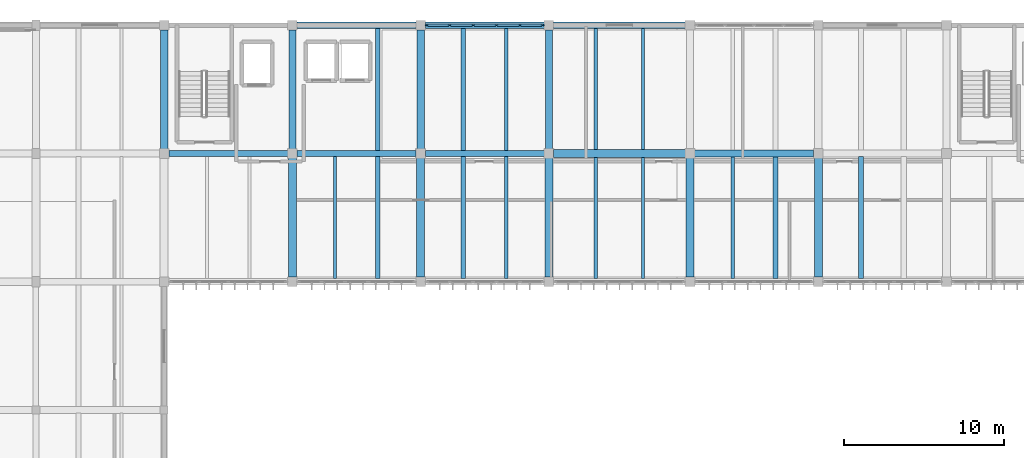
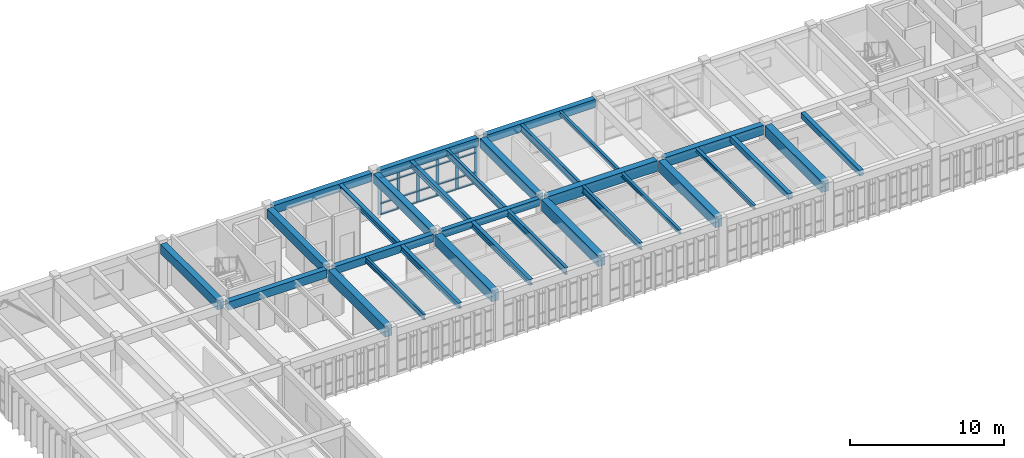
# One storey, part 8 of 22: 31 beams, 26 members, 1 element without a shape of its own.
"""IFC4 building model written with IfcOpenShell, lengths in metres."""

from ifc_helpers import new_model, si_unit, direction, frame, origin, origin_2d, place, context, subcontext, project, spatial, rectangle, i_section, extrude, material, material_profile, profile_set, type_object, element, aggregate, save


model = new_model("IFC4")

# Units and contexts
model_context = context("Model", 3, precision=1e-05, world=origin(), true_north=direction((0.0, 1.0)))
body_context = subcontext(model_context, "Body", "Model", "MODEL_VIEW")
ifc_project = project(units=[si_unit("LENGTHUNIT", "METRE"), si_unit("AREAUNIT", "SQUARE_METRE"), si_unit("VOLUMEUNIT", "CUBIC_METRE"), si_unit("PLANEANGLEUNIT", "RADIAN"), si_unit("MASSUNIT", "GRAM", prefix="KILO")], contexts=[model_context])

# Site, building, storey
site_placement = place(None, origin())
site = spatial("IfcSite", under=ifc_project, at=site_placement, CompositionType="ELEMENT")
building_placement = place(site_placement, origin())
building = spatial("IfcBuilding", under=site, at=building_placement, Name="Tlaxcora Railside Police Headquarters", CompositionType="ELEMENT")
storey_placement = place(building_placement, frame((0.0, 0.0, 21.89990234375)))
storey = spatial("IfcBuildingStorey", under=building, at=storey_placement, Name="L05", CompositionType="ELEMENT", Elevation=21.89990234375)

# Curtain wall, members
ifc_material_1 = material(Name="Thermally broken low-E insulated glazing", Category="glass")
curtain_wall_type = type_object("IfcCurtainWallType", Name="Unitised Curtain Wall Assembly CW-23", PredefinedType="NOTDEFINED", material=ifc_material_1)
curtain_wall_placement = place(storey_placement, origin())
curtain_wall = element("IfcCurtainWall", 1, at=curtain_wall_placement, inside=storey, type_object=curtain_wall_type, Name="V5 L05 curtain wall 116", PredefinedType="NOTDEFINED")
ifc_material_2 = material(Name="Anodised aluminium framing", Category="aluminium")
ifc_material_profile_1 = material_profile(ifc_material_2, rectangle(XDim=0.080078125, YDim=0.219970703125, at=origin_2d()), Name="AL80X220")
ifc_profile_set_1 = profile_set([ifc_material_profile_1], Name="Anodised aluminium framing")
member_type_1 = type_object("IfcMemberType", Name="Curtain Wall Mullion CW-31", PredefinedType="MULLION", material=ifc_profile_set_1)
member_1_placement = place(storey_placement, frame((44.81005859375, 92.800048828125, 0.0), z_axis=(0.0, 0.0, 1.0), x_axis=(0.0, -1.0, 0.0)))
member_1 = element("IfcMember", 2, at=member_1_placement, type_object=member_type_1, Name="CW mullion 1", PredefinedType="MULLION", context=body_context, shape_type="SweptSolid", body=[
    extrude(rectangle(XDim=0.080078125, YDim=0.219970703125, at=origin_2d()), origin(), (0.0, 0.0, 1.0), 2.97998046875),
])
member_2_placement = place(storey_placement, frame((43.389892578125, 92.800048828125, 0.0), z_axis=(0.0, 0.0, 1.0), x_axis=(0.0, -1.0, 0.0)))
member_2 = element("IfcMember", 3, at=member_2_placement, type_object=member_type_1, Name="CW mullion 2", PredefinedType="MULLION", context=body_context, shape_type="SweptSolid", body=[
    extrude(rectangle(XDim=0.080078125, YDim=0.219970703125, at=origin_2d()), origin(), (0.0, 0.0, 1.0), 2.97998046875),
])
member_3_placement = place(storey_placement, frame((41.929931640625, 92.800048828125, 0.0), z_axis=(0.0, 0.0, 1.0), x_axis=(0.0, -1.0, 0.0)))
member_3 = element("IfcMember", 4, at=member_3_placement, type_object=member_type_1, Name="CW mullion 3", PredefinedType="MULLION", context=body_context, shape_type="SweptSolid", body=[
    extrude(rectangle(XDim=0.080078125, YDim=0.219970703125, at=origin_2d()), origin(), (0.0, 0.0, 1.0), 2.97998046875),
])
member_4_placement = place(storey_placement, frame((40.469970703125, 92.800048828125, 0.0), z_axis=(0.0, 0.0, 1.0), x_axis=(0.0, -1.0, 0.0)))
member_4 = element("IfcMember", 5, at=member_4_placement, type_object=member_type_1, Name="CW mullion 4", PredefinedType="MULLION", context=body_context, shape_type="SweptSolid", body=[
    extrude(rectangle(XDim=0.080078125, YDim=0.219970703125, at=origin_2d()), origin(), (0.0, 0.0, 1.0), 2.97998046875),
])
member_5_placement = place(storey_placement, frame((39.010009765625, 92.800048828125, 0.0), z_axis=(0.0, 0.0, 1.0), x_axis=(0.0, -1.0, 0.0)))
member_5 = element("IfcMember", 6, at=member_5_placement, type_object=member_type_1, Name="CW mullion 5", PredefinedType="MULLION", context=body_context, shape_type="SweptSolid", body=[
    extrude(rectangle(XDim=0.080078125, YDim=0.219970703125, at=origin_2d()), origin(), (0.0, 0.0, 1.0), 2.97998046875),
])
member_6_placement = place(storey_placement, frame((37.590087890625, 92.800048828125, 0.0), z_axis=(0.0, 0.0, 1.0), x_axis=(0.0, -1.0, 0.0)))
member_6 = element("IfcMember", 7, at=member_6_placement, type_object=member_type_1, Name="CW mullion 6", PredefinedType="MULLION", context=body_context, shape_type="SweptSolid", body=[
    extrude(rectangle(XDim=0.080078125, YDim=0.219970703125, at=origin_2d()), origin(), (0.0, 0.0, 1.0), 2.97998046875),
])
ifc_material_profile_2 = material_profile(ifc_material_2, rectangle(XDim=0.1650390625, YDim=0.080078125, at=origin_2d()), Name="AL80X165")
ifc_profile_set_2 = profile_set([ifc_material_profile_2], Name="Anodised aluminium framing")
member_type_2 = type_object("IfcMemberType", Name="Curtain Wall Transom CW-62", PredefinedType="USERDEFINED", material=ifc_profile_set_2)
member_7_placement = place(storey_placement, frame((44.77001953125, 92.800048828125, 0.0400390625), z_axis=(-1.0, 0.0, 0.0), x_axis=(0.0, -1.0, 0.0)))
member_7 = element("IfcMember", 8, at=member_7_placement, type_object=member_type_2, Name="CW transom 1.1", ObjectType="TRANSOM", PredefinedType="USERDEFINED", context=body_context, shape_type="SweptSolid", body=[
    extrude(rectangle(XDim=0.1650390625, YDim=0.080078125, at=origin_2d()), origin(), (0.0, 0.0, 1.0), 1.340087890625),
])
member_8_placement = place(storey_placement, frame((44.77001953125, 92.800048828125, 0.900146484375), z_axis=(-1.0, 0.0, 0.0), x_axis=(0.0, -1.0, 0.0)))
member_8 = element("IfcMember", 9, at=member_8_placement, type_object=member_type_2, Name="CW transom 1.2", ObjectType="TRANSOM", PredefinedType="USERDEFINED", context=body_context, shape_type="SweptSolid", body=[
    extrude(rectangle(XDim=0.1650390625, YDim=0.080078125, at=origin_2d()), origin(), (0.0, 0.0, 1.0), 1.340087890625),
])
member_9_placement = place(storey_placement, frame((44.77001953125, 92.800048828125, 2.4501953125), z_axis=(-1.0, 0.0, 0.0), x_axis=(0.0, -1.0, 0.0)))
member_9 = element("IfcMember", 10, at=member_9_placement, type_object=member_type_2, Name="CW transom 1.3", ObjectType="TRANSOM", PredefinedType="USERDEFINED", context=body_context, shape_type="SweptSolid", body=[
    extrude(rectangle(XDim=0.1650390625, YDim=0.080078125, at=origin_2d()), origin(), (0.0, 0.0, 1.0), 1.340087890625),
])
member_10_placement = place(storey_placement, frame((44.77001953125, 92.800048828125, 2.940185546875), z_axis=(-1.0, 0.0, 0.0), x_axis=(0.0, -1.0, 0.0)))
member_10 = element("IfcMember", 11, at=member_10_placement, type_object=member_type_2, Name="CW transom 1.4", ObjectType="TRANSOM", PredefinedType="USERDEFINED", context=body_context, shape_type="SweptSolid", body=[
    extrude(rectangle(XDim=0.1650390625, YDim=0.080078125, at=origin_2d()), origin(), (0.0, 0.0, 1.0), 1.340087890625),
])
member_11_placement = place(storey_placement, frame((43.35009765625, 92.800048828125, 0.0400390625), z_axis=(-1.0, 0.0, 0.0), x_axis=(0.0, -1.0, 0.0)))
member_11 = element("IfcMember", 12, at=member_11_placement, type_object=member_type_2, Name="CW transom 2.1", ObjectType="TRANSOM", PredefinedType="USERDEFINED", context=body_context, shape_type="SweptSolid", body=[
    extrude(rectangle(XDim=0.1650390625, YDim=0.080078125, at=origin_2d()), origin(), (0.0, 0.0, 1.0), 1.380126953125),
])
member_12_placement = place(storey_placement, frame((43.35009765625, 92.800048828125, 0.900146484375), z_axis=(-1.0, 0.0, 0.0), x_axis=(0.0, -1.0, 0.0)))
member_12 = element("IfcMember", 13, at=member_12_placement, type_object=member_type_2, Name="CW transom 2.2", ObjectType="TRANSOM", PredefinedType="USERDEFINED", context=body_context, shape_type="SweptSolid", body=[
    extrude(rectangle(XDim=0.1650390625, YDim=0.080078125, at=origin_2d()), origin(), (0.0, 0.0, 1.0), 1.380126953125),
])
member_13_placement = place(storey_placement, frame((43.35009765625, 92.800048828125, 2.4501953125), z_axis=(-1.0, 0.0, 0.0), x_axis=(0.0, -1.0, 0.0)))
member_13 = element("IfcMember", 14, at=member_13_placement, type_object=member_type_2, Name="CW transom 2.3", ObjectType="TRANSOM", PredefinedType="USERDEFINED", context=body_context, shape_type="SweptSolid", body=[
    extrude(rectangle(XDim=0.1650390625, YDim=0.080078125, at=origin_2d()), origin(), (0.0, 0.0, 1.0), 1.380126953125),
])
member_14_placement = place(storey_placement, frame((43.35009765625, 92.800048828125, 2.940185546875), z_axis=(-1.0, 0.0, 0.0), x_axis=(0.0, -1.0, 0.0)))
member_14 = element("IfcMember", 15, at=member_14_placement, type_object=member_type_2, Name="CW transom 2.4", ObjectType="TRANSOM", PredefinedType="USERDEFINED", context=body_context, shape_type="SweptSolid", body=[
    extrude(rectangle(XDim=0.1650390625, YDim=0.080078125, at=origin_2d()), origin(), (0.0, 0.0, 1.0), 1.380126953125),
])
member_15_placement = place(storey_placement, frame((41.889892578125, 92.800048828125, 0.0400390625), z_axis=(-1.0, 0.0, 0.0), x_axis=(0.0, -1.0, 0.0)))
member_15 = element("IfcMember", 16, at=member_15_placement, type_object=member_type_2, Name="CW transom 3.1", ObjectType="TRANSOM", PredefinedType="USERDEFINED", context=body_context, shape_type="SweptSolid", body=[
    extrude(rectangle(XDim=0.1650390625, YDim=0.080078125, at=origin_2d()), origin(), (0.0, 0.0, 1.0), 1.3798828125),
])
member_16_placement = place(storey_placement, frame((41.889892578125, 92.800048828125, 0.900146484375), z_axis=(-1.0, 0.0, 0.0), x_axis=(0.0, -1.0, 0.0)))
member_16 = element("IfcMember", 17, at=member_16_placement, type_object=member_type_2, Name="CW transom 3.2", ObjectType="TRANSOM", PredefinedType="USERDEFINED", context=body_context, shape_type="SweptSolid", body=[
    extrude(rectangle(XDim=0.1650390625, YDim=0.080078125, at=origin_2d()), origin(), (0.0, 0.0, 1.0), 1.3798828125),
])
member_17_placement = place(storey_placement, frame((41.889892578125, 92.800048828125, 2.4501953125), z_axis=(-1.0, 0.0, 0.0), x_axis=(0.0, -1.0, 0.0)))
member_17 = element("IfcMember", 18, at=member_17_placement, type_object=member_type_2, Name="CW transom 3.3", ObjectType="TRANSOM", PredefinedType="USERDEFINED", context=body_context, shape_type="SweptSolid", body=[
    extrude(rectangle(XDim=0.1650390625, YDim=0.080078125, at=origin_2d()), origin(), (0.0, 0.0, 1.0), 1.3798828125),
])
member_18_placement = place(storey_placement, frame((41.889892578125, 92.800048828125, 2.940185546875), z_axis=(-1.0, 0.0, 0.0), x_axis=(0.0, -1.0, 0.0)))
member_18 = element("IfcMember", 19, at=member_18_placement, type_object=member_type_2, Name="CW transom 3.4", ObjectType="TRANSOM", PredefinedType="USERDEFINED", context=body_context, shape_type="SweptSolid", body=[
    extrude(rectangle(XDim=0.1650390625, YDim=0.080078125, at=origin_2d()), origin(), (0.0, 0.0, 1.0), 1.3798828125),
])
member_19_placement = place(storey_placement, frame((40.429931640625, 92.800048828125, 0.0400390625), z_axis=(-1.0, 0.0, 0.0), x_axis=(0.0, -1.0, 0.0)))
member_19 = element("IfcMember", 20, at=member_19_placement, type_object=member_type_2, Name="CW transom 4.1", ObjectType="TRANSOM", PredefinedType="USERDEFINED", context=body_context, shape_type="SweptSolid", body=[
    extrude(rectangle(XDim=0.1650390625, YDim=0.080078125, at=origin_2d()), origin(), (0.0, 0.0, 1.0), 1.3798828125),
])
member_20_placement = place(storey_placement, frame((40.429931640625, 92.800048828125, 0.900146484375), z_axis=(-1.0, 0.0, 0.0), x_axis=(0.0, -1.0, 0.0)))
member_20 = element("IfcMember", 21, at=member_20_placement, type_object=member_type_2, Name="CW transom 4.2", ObjectType="TRANSOM", PredefinedType="USERDEFINED", context=body_context, shape_type="SweptSolid", body=[
    extrude(rectangle(XDim=0.1650390625, YDim=0.080078125, at=origin_2d()), origin(), (0.0, 0.0, 1.0), 1.3798828125),
])
member_21_placement = place(storey_placement, frame((40.429931640625, 92.800048828125, 2.4501953125), z_axis=(-1.0, 0.0, 0.0), x_axis=(0.0, -1.0, 0.0)))
member_21 = element("IfcMember", 22, at=member_21_placement, type_object=member_type_2, Name="CW transom 4.3", ObjectType="TRANSOM", PredefinedType="USERDEFINED", context=body_context, shape_type="SweptSolid", body=[
    extrude(rectangle(XDim=0.1650390625, YDim=0.080078125, at=origin_2d()), origin(), (0.0, 0.0, 1.0), 1.3798828125),
])
member_22_placement = place(storey_placement, frame((40.429931640625, 92.800048828125, 2.940185546875), z_axis=(-1.0, 0.0, 0.0), x_axis=(0.0, -1.0, 0.0)))
member_22 = element("IfcMember", 23, at=member_22_placement, type_object=member_type_2, Name="CW transom 4.4", ObjectType="TRANSOM", PredefinedType="USERDEFINED", context=body_context, shape_type="SweptSolid", body=[
    extrude(rectangle(XDim=0.1650390625, YDim=0.080078125, at=origin_2d()), origin(), (0.0, 0.0, 1.0), 1.3798828125),
])
member_23_placement = place(storey_placement, frame((38.969970703125, 92.800048828125, 0.0400390625), z_axis=(-1.0, 0.0, 0.0), x_axis=(0.0, -1.0, 0.0)))
member_23 = element("IfcMember", 24, at=member_23_placement, type_object=member_type_2, Name="CW transom 5.1", ObjectType="TRANSOM", PredefinedType="USERDEFINED", context=body_context, shape_type="SweptSolid", body=[
    extrude(rectangle(XDim=0.1650390625, YDim=0.080078125, at=origin_2d()), origin(), (0.0, 0.0, 1.0), 1.340087890625),
])
member_24_placement = place(storey_placement, frame((38.969970703125, 92.800048828125, 0.900146484375), z_axis=(-1.0, 0.0, 0.0), x_axis=(0.0, -1.0, 0.0)))
member_24 = element("IfcMember", 25, at=member_24_placement, type_object=member_type_2, Name="CW transom 5.2", ObjectType="TRANSOM", PredefinedType="USERDEFINED", context=body_context, shape_type="SweptSolid", body=[
    extrude(rectangle(XDim=0.1650390625, YDim=0.080078125, at=origin_2d()), origin(), (0.0, 0.0, 1.0), 1.340087890625),
])
member_25_placement = place(storey_placement, frame((38.969970703125, 92.800048828125, 2.4501953125), z_axis=(-1.0, 0.0, 0.0), x_axis=(0.0, -1.0, 0.0)))
member_25 = element("IfcMember", 26, at=member_25_placement, type_object=member_type_2, Name="CW transom 5.3", ObjectType="TRANSOM", PredefinedType="USERDEFINED", context=body_context, shape_type="SweptSolid", body=[
    extrude(rectangle(XDim=0.1650390625, YDim=0.080078125, at=origin_2d()), origin(), (0.0, 0.0, 1.0), 1.340087890625),
])
member_26_placement = place(storey_placement, frame((38.969970703125, 92.800048828125, 2.940185546875), z_axis=(-1.0, 0.0, 0.0), x_axis=(0.0, -1.0, 0.0)))
member_26 = element("IfcMember", 27, at=member_26_placement, type_object=member_type_2, Name="CW transom 5.4", ObjectType="TRANSOM", PredefinedType="USERDEFINED", context=body_context, shape_type="SweptSolid", body=[
    extrude(rectangle(XDim=0.1650390625, YDim=0.080078125, at=origin_2d()), origin(), (0.0, 0.0, 1.0), 1.340087890625),
])
aggregate(curtain_wall, [member_1, member_2, member_3, member_4, member_5, member_6, member_7, member_8, member_9, member_10, member_11, member_12, member_13, member_14, member_15, member_16, member_17, member_18, member_19, member_20, member_21, member_22, member_23, member_24, member_25, member_26])

# Beams
ifc_material_3 = material(Name="Concrete C40/50", Category="concrete")
ifc_material_profile_3 = material_profile(ifc_material_3, rectangle(XDim=0.39990234375, YDim=0.64990234375, at=origin_2d()), Name="RC400X650")
ifc_profile_set_3 = profile_set([ifc_material_profile_3], Name="Concrete C40/50")
beam_type_1 = type_object("IfcBeamType", Name="Perimeter Spandrel Beam BM-46", PredefinedType="SPANDREL", material=ifc_profile_set_3)
for number, where, z_axis, x_axis, name in (
    (28, (29.489990234375, 92.800048828125, 3.3251953125), (1.0, 0.0, 0.0), (0.0, 1.0, 0.0), "V5 L05 X-girder Y=92.8"),
    (29, (37.489990234375, 92.800048828125, 3.3251953125), (1.0, 0.0, 0.0), (0.0, 1.0, 0.0), "V5 L05 X-girder Y=92.8"),
):
    element("IfcBeam", number, at=place(storey_placement, frame(where, z_axis=z_axis, x_axis=x_axis)), inside=storey, type_object=beam_type_1, Name=name, PredefinedType="SPANDREL", context=body_context, shape_type="SweptSolid", body=[
        extrude(rectangle(XDim=0.39990234375, YDim=0.64990234375, at=origin_2d()), origin(), (0.0, 0.0, 1.0), 7.419921875),
    ])
beam_1_placement = place(storey_placement, frame((45.489990234375, 92.800048828125, 3.3251953125), z_axis=(1.0, 0.0, 0.0), x_axis=(0.0, 1.0, 0.0)))
element("IfcBeam", 30, at=beam_1_placement, inside=storey, type_object=beam_type_1, Name="V5 L05 X-girder Y=92.8", PredefinedType="SPANDREL", context=body_context, shape_type="SweptSolid", body=[
    extrude(rectangle(XDim=0.39990234375, YDim=0.64990234375, at=origin_2d()), origin(), (0.0, 0.0, 1.0), 8.219970703125),
])
ifc_material_profile_4 = material_profile(ifc_material_3, rectangle(XDim=0.3798828125, YDim=0.60009765625, at=origin_2d()), Name="RC380X600")
ifc_profile_set_4 = profile_set([ifc_material_profile_4], Name="Concrete C40/50")
beam_type_2 = type_object("IfcBeamType", Name="Primary Frame Girder BM-22", PredefinedType="BEAM", material=ifc_profile_set_4)
beam_2_placement = place(storey_placement, frame((29.489990234375, 84.800048828125, 3.35009765625), z_axis=(1.0, 0.0, 0.0), x_axis=(0.0, 1.0, 0.0)))
element("IfcBeam", 31, at=beam_2_placement, inside=storey, type_object=beam_type_2, Name="V5 L05 X-girder Y=84.8", PredefinedType="BEAM", context=body_context, shape_type="SweptSolid", body=[
    extrude(rectangle(XDim=0.3798828125, YDim=0.60009765625, at=origin_2d()), origin(), (0.0, 0.0, 1.0), 7.419921875),
])
ifc_material_profile_5 = material_profile(ifc_material_3, rectangle(XDim=0.35009765625, YDim=0.550048828125, at=origin_2d()), Name="RC350X550")
ifc_profile_set_5 = profile_set([ifc_material_profile_5], Name="Concrete C40/50")
beam_type_3 = type_object("IfcBeamType", Name="Primary Frame Girder BM-39", PredefinedType="BEAM", material=ifc_profile_set_5)
beam_3_placement = place(storey_placement, frame((37.489990234375, 84.800048828125, 3.375), z_axis=(1.0, 0.0, 0.0), x_axis=(0.0, 1.0, 0.0)))
element("IfcBeam", 32, at=beam_3_placement, inside=storey, type_object=beam_type_3, Name="V5 L05 X-girder Y=84.8", PredefinedType="BEAM", context=body_context, shape_type="SweptSolid", body=[
    extrude(rectangle(XDim=0.35009765625, YDim=0.550048828125, at=origin_2d()), origin(), (0.0, 0.0, 1.0), 7.419921875),
])
ifc_material_profile_6 = material_profile(ifc_material_3, rectangle(XDim=0.39990234375, YDim=0.64990234375, at=origin_2d()), Name="RC400X650")
ifc_profile_set_6 = profile_set([ifc_material_profile_6], Name="Concrete C40/50")
beam_type_4 = type_object("IfcBeamType", Name="Primary Frame Girder BM-41", PredefinedType="BEAM", material=ifc_profile_set_6)
beam_4_placement = place(storey_placement, frame((21.489990234375, 84.800048828125, 3.3251953125), z_axis=(1.0, 0.0, 0.0), x_axis=(0.0, 1.0, 0.0)))
element("IfcBeam", 33, at=beam_4_placement, inside=storey, type_object=beam_type_4, Name="V5 L05 X-girder Y=84.8", PredefinedType="BEAM", context=body_context, shape_type="SweptSolid", body=[
    extrude(rectangle(XDim=0.39990234375, YDim=0.64990234375, at=origin_2d()), origin(), (0.0, 0.0, 1.0), 7.419921875),
])
ifc_material_profile_7 = material_profile(ifc_material_3, rectangle(XDim=0.5, YDim=0.85009765625, at=origin_2d()), Name="RC500X850")
ifc_profile_set_7 = profile_set([ifc_material_profile_7], Name="Concrete C40/50")
beam_type_5 = type_object("IfcBeamType", Name="Primary Frame Girder BM-64", PredefinedType="BEAM", material=ifc_profile_set_7)
beam_5_placement = place(storey_placement, frame((45.489990234375, 84.800048828125, 3.22509765625), z_axis=(1.0, 0.0, 0.0), x_axis=(0.0, 1.0, 0.0)))
element("IfcBeam", 34, at=beam_5_placement, inside=storey, type_object=beam_type_5, Name="V5 L05 X-girder Y=84.8", PredefinedType="BEAM", context=body_context, shape_type="SweptSolid", body=[
    extrude(rectangle(XDim=0.5, YDim=0.85009765625, at=origin_2d()), origin(), (0.0, 0.0, 1.0), 8.219970703125),
])
for number, where, z_axis, x_axis, name in (
    (35, (29.199951171875, 77.090087890625, 3.22509765625), (0.0, 1.0, 0.0), (-1.0, 0.0, 0.0), "V5 L05 Y-girder X=29.2"),
    (36, (37.199951171875, 77.090087890625, 3.22509765625), (0.0, 1.0, 0.0), (-1.0, 0.0, 0.0), "V5 L05 Y-girder X=37.2"),
    (37, (45.199951171875, 77.090087890625, 3.22509765625), (0.0, 1.0, 0.0), (-1.0, 0.0, 0.0), "V5 L05 Y-girder X=45.2"),
    (38, (54.0, 77.090087890625, 3.22509765625), (0.0, 1.0, 0.0), (-1.0, 0.0, 0.0), "V5 L05 Y-girder X=54.0"),
    (39, (62.0, 77.090087890625, 3.22509765625), (0.0, 1.0, 0.0), (-1.0, 0.0, 0.0), "V5 L05 Y-girder X=62.0"),
):
    element("IfcBeam", number, at=place(storey_placement, frame(where, z_axis=z_axis, x_axis=x_axis)), inside=storey, type_object=beam_type_5, Name=name, PredefinedType="BEAM", context=body_context, shape_type="SweptSolid", body=[
        extrude(rectangle(XDim=0.5, YDim=0.85009765625, at=origin_2d()), origin(), (0.0, 0.0, 1.0), 7.419921875),
    ])
ifc_material_profile_8 = material_profile(ifc_material_3, rectangle(XDim=0.449951171875, YDim=0.75, at=origin_2d()), Name="RC450X750")
ifc_profile_set_8 = profile_set([ifc_material_profile_8], Name="Concrete C40/50")
beam_type_6 = type_object("IfcBeamType", Name="Primary Frame Girder BM-73", PredefinedType="BEAM", material=ifc_profile_set_8)
for number, where, z_axis, x_axis, name in (
    (40, (54.2900390625, 84.800048828125, 3.275146484375), (1.0, 0.0, 0.0), (0.0, 1.0, 0.0), "V5 L05 X-girder Y=84.8"),
    (41, (21.199951171875, 85.090087890625, 3.275146484375), (0.0, 1.0, 0.0), (-1.0, 0.0, 0.0), "V5 L05 Y-girder X=21.2"),
    (42, (29.199951171875, 85.090087890625, 3.275146484375), (0.0, 1.0, 0.0), (-1.0, 0.0, 0.0), "V5 L05 Y-girder X=29.2"),
    (43, (37.199951171875, 85.090087890625, 3.275146484375), (0.0, 1.0, 0.0), (-1.0, 0.0, 0.0), "V5 L05 Y-girder X=37.2"),
    (44, (45.199951171875, 85.090087890625, 3.275146484375), (0.0, 1.0, 0.0), (-1.0, 0.0, 0.0), "V5 L05 Y-girder X=45.2"),
):
    element("IfcBeam", number, at=place(storey_placement, frame(where, z_axis=z_axis, x_axis=x_axis)), inside=storey, type_object=beam_type_6, Name=name, PredefinedType="BEAM", context=body_context, shape_type="SweptSolid", body=[
        extrude(rectangle(XDim=0.449951171875, YDim=0.75, at=origin_2d()), origin(), (0.0, 0.0, 1.0), 7.419921875),
    ])
ifc_material_4 = material(Name="Concrete C35/45", Category="concrete")
ifc_material_profile_9 = material_profile(ifc_material_4, rectangle(XDim=0.300048828125, YDim=0.449951171875, at=origin_2d()), Name="RC300X450")
ifc_profile_set_9 = profile_set([ifc_material_profile_9], Name="Concrete C35/45")
beam_type_7 = type_object("IfcBeamType", Name="Secondary Floor Joist BM-27", PredefinedType="JOIST", material=ifc_profile_set_9)
beam_6_placement = place(storey_placement, frame((59.333251953125, 76.991943359375, 3.425048828125), z_axis=(0.0, 1.0, 0.0), x_axis=(-1.0, 0.0, 0.0)))
element("IfcBeam", 45, at=beam_6_placement, inside=storey, type_object=beam_type_7, Name="V5 L05 floor joist X=59.33", PredefinedType="JOIST", context=body_context, shape_type="SweptSolid", body=[
    extrude(rectangle(XDim=0.300048828125, YDim=0.449951171875, at=origin_2d()), origin(), (0.0, 0.0, 1.0), 7.591064453125),
])
beam_7_placement = place(storey_placement, frame((64.666748046875, 76.991943359375, 3.425048828125), z_axis=(0.0, 1.0, 0.0), x_axis=(-1.0, 0.0, 0.0)))
element("IfcBeam", 46, at=beam_7_placement, inside=storey, type_object=beam_type_7, Name="V5 L05 floor joist X=64.67", PredefinedType="JOIST", context=body_context, shape_type="SweptSolid", body=[
    extrude(rectangle(XDim=0.300048828125, YDim=0.449951171875, at=origin_2d()), origin(), (0.0, 0.0, 1.0), 7.60595703125),
])
ifc_material_5 = material(Name="Steel ASTM A992 Grade 50", Category="steel")
ifc_material_profile_10 = material_profile(ifc_material_5, i_section(OverallWidth=0.280029296875, OverallDepth=0.4619140625, WebThickness=0.0107421875, FlangeThickness=0.017333984375, at=origin_2d()), Name="W18X76")
ifc_profile_set_10 = profile_set([ifc_material_profile_10], Name="Steel ASTM A992 Grade 50")
beam_type_8 = type_object("IfcBeamType", Name="Secondary Floor Joist BM-44", PredefinedType="JOIST", material=ifc_profile_set_10)
beam_8_placement = place(storey_placement, frame((34.533203125, 76.991943359375, 3.419189453125), z_axis=(0.0, 1.0, 0.0), x_axis=(-1.0, 0.0, 0.0)))
element("IfcBeam", 47, at=beam_8_placement, inside=storey, type_object=beam_type_8, Name="V5 L05 floor joist X=34.53", PredefinedType="JOIST", context=body_context, shape_type="SweptSolid", body=[
    extrude(i_section(OverallWidth=0.280029296875, OverallDepth=0.4619140625, WebThickness=0.0107421875, FlangeThickness=0.017333984375, at=origin_2d()), origin(), (0.0, 0.0, 1.0), 7.6259765625),
])
beam_9_placement = place(storey_placement, frame((39.86669921875, 76.991943359375, 3.419189453125), z_axis=(0.0, 1.0, 0.0), x_axis=(-1.0, 0.0, 0.0)))
element("IfcBeam", 48, at=beam_9_placement, inside=storey, type_object=beam_type_8, Name="V5 L05 floor joist X=39.87", PredefinedType="JOIST", context=body_context, shape_type="SweptSolid", body=[
    extrude(i_section(OverallWidth=0.280029296875, OverallDepth=0.4619140625, WebThickness=0.0107421875, FlangeThickness=0.017333984375, at=origin_2d()), origin(), (0.0, 0.0, 1.0), 7.64111328125),
])
beam_10_placement = place(storey_placement, frame((34.533203125, 84.98193359375, 3.419189453125), z_axis=(0.0, 1.0, 0.0), x_axis=(-1.0, 0.0, 0.0)))
element("IfcBeam", 49, at=beam_10_placement, inside=storey, type_object=beam_type_8, Name="V5 L05 floor joist X=34.53", PredefinedType="JOIST", context=body_context, shape_type="SweptSolid", body=[
    extrude(i_section(OverallWidth=0.280029296875, OverallDepth=0.4619140625, WebThickness=0.0107421875, FlangeThickness=0.017333984375, at=origin_2d()), origin(), (0.0, 0.0, 1.0), 7.6259765625),
])
beam_11_placement = place(storey_placement, frame((39.86669921875, 84.967041015625, 3.419189453125), z_axis=(0.0, 1.0, 0.0), x_axis=(-1.0, 0.0, 0.0)))
element("IfcBeam", 50, at=beam_11_placement, inside=storey, type_object=beam_type_8, Name="V5 L05 floor joist X=39.87", PredefinedType="JOIST", context=body_context, shape_type="SweptSolid", body=[
    extrude(i_section(OverallWidth=0.280029296875, OverallDepth=0.4619140625, WebThickness=0.0107421875, FlangeThickness=0.017333984375, at=origin_2d()), origin(), (0.0, 0.0, 1.0), 7.640869140625),
])
ifc_material_profile_11 = material_profile(ifc_material_5, i_section(OverallWidth=0.180908203125, OverallDepth=0.4169921875, WebThickness=0.010009765625, FlangeThickness=0.018310546875, at=origin_2d()), Name="W16X57")
ifc_profile_set_11 = profile_set([ifc_material_profile_11], Name="Steel ASTM A992 Grade 50")
beam_type_9 = type_object("IfcBeamType", Name="Secondary Floor Joist BM-84", PredefinedType="JOIST", material=ifc_profile_set_11)
beam_12_placement = place(storey_placement, frame((31.86669921875, 76.991943359375, 3.441650390625), z_axis=(0.0, 1.0, 0.0), x_axis=(-1.0, 0.0, 0.0)))
element("IfcBeam", 51, at=beam_12_placement, inside=storey, type_object=beam_type_9, Name="V5 L05 floor joist X=31.87", PredefinedType="JOIST", context=body_context, shape_type="SweptSolid", body=[
    extrude(i_section(OverallWidth=0.180908203125, OverallDepth=0.4169921875, WebThickness=0.010009765625, FlangeThickness=0.018310546875, at=origin_2d()), origin(), (0.0, 0.0, 1.0), 7.6259765625),
])
ifc_material_profile_12 = material_profile(ifc_material_5, i_section(OverallWidth=0.202880859375, OverallDepth=0.302978515625, WebThickness=0.007568359375, FlangeThickness=0.01318359375, at=origin_2d()), Name="W12X40")
ifc_profile_set_12 = profile_set([ifc_material_profile_12], Name="Steel ASTM A992 Grade 50")
beam_type_10 = type_object("IfcBeamType", Name="Secondary Floor Joist BM-96", PredefinedType="JOIST", material=ifc_profile_set_12)
beam_13_placement = place(storey_placement, frame((51.066650390625, 76.991943359375, 3.49853515625), z_axis=(0.0, 1.0, 0.0), x_axis=(-1.0, 0.0, 0.0)))
element("IfcBeam", 52, at=beam_13_placement, inside=storey, type_object=beam_type_10, Name="V5 L05 floor joist X=51.07", PredefinedType="JOIST", context=body_context, shape_type="SweptSolid", body=[
    extrude(i_section(OverallWidth=0.202880859375, OverallDepth=0.302978515625, WebThickness=0.007568359375, FlangeThickness=0.01318359375, at=origin_2d()), origin(), (0.0, 0.0, 1.0), 7.566162109375),
])
beam_14_placement = place(storey_placement, frame((56.666748046875, 76.991943359375, 3.49853515625), z_axis=(0.0, 1.0, 0.0), x_axis=(-1.0, 0.0, 0.0)))
element("IfcBeam", 53, at=beam_14_placement, inside=storey, type_object=beam_type_10, Name="V5 L05 floor joist X=56.67", PredefinedType="JOIST", context=body_context, shape_type="SweptSolid", body=[
    extrude(i_section(OverallWidth=0.202880859375, OverallDepth=0.302978515625, WebThickness=0.007568359375, FlangeThickness=0.01318359375, at=origin_2d()), origin(), (0.0, 0.0, 1.0), 7.591064453125),
])
beam_15_placement = place(storey_placement, frame((51.066650390625, 85.0419921875, 3.49853515625), z_axis=(0.0, 1.0, 0.0), x_axis=(-1.0, 0.0, 0.0)))
element("IfcBeam", 54, at=beam_15_placement, inside=storey, type_object=beam_type_10, Name="V5 L05 floor joist X=51.07", PredefinedType="JOIST", context=body_context, shape_type="SweptSolid", body=[
    extrude(i_section(OverallWidth=0.202880859375, OverallDepth=0.302978515625, WebThickness=0.007568359375, FlangeThickness=0.01318359375, at=origin_2d()), origin(), (0.0, 0.0, 1.0), 7.56591796875),
])
ifc_material_profile_13 = material_profile(ifc_material_5, i_section(OverallWidth=0.214111328125, OverallDepth=0.549072265625, WebThickness=0.0146484375, FlangeThickness=0.023681640625, at=origin_2d()), Name="W21X93")
ifc_profile_set_13 = profile_set([ifc_material_profile_13], Name="Steel ASTM A992 Grade 50")
beam_type_11 = type_object("IfcBeamType", Name="Secondary Floor Joist BM-97", PredefinedType="JOIST", material=ifc_profile_set_13)
beam_16_placement = place(storey_placement, frame((42.533203125, 76.991943359375, 3.37548828125), z_axis=(0.0, 1.0, 0.0), x_axis=(-1.0, 0.0, 0.0)))
element("IfcBeam", 55, at=beam_16_placement, inside=storey, type_object=beam_type_11, Name="V5 L05 floor joist X=42.53", PredefinedType="JOIST", context=body_context, shape_type="SweptSolid", body=[
    extrude(i_section(OverallWidth=0.214111328125, OverallDepth=0.549072265625, WebThickness=0.0146484375, FlangeThickness=0.023681640625, at=origin_2d()), origin(), (0.0, 0.0, 1.0), 7.64111328125),
])
beam_17_placement = place(storey_placement, frame((48.13330078125, 76.991943359375, 3.37548828125), z_axis=(0.0, 1.0, 0.0), x_axis=(-1.0, 0.0, 0.0)))
element("IfcBeam", 56, at=beam_17_placement, inside=storey, type_object=beam_type_11, Name="V5 L05 floor joist X=48.13", PredefinedType="JOIST", context=body_context, shape_type="SweptSolid", body=[
    extrude(i_section(OverallWidth=0.214111328125, OverallDepth=0.549072265625, WebThickness=0.0146484375, FlangeThickness=0.023681640625, at=origin_2d()), origin(), (0.0, 0.0, 1.0), 7.566162109375),
])
beam_18_placement = place(storey_placement, frame((42.533203125, 84.967041015625, 3.37548828125), z_axis=(0.0, 1.0, 0.0), x_axis=(-1.0, 0.0, 0.0)))
element("IfcBeam", 57, at=beam_18_placement, inside=storey, type_object=beam_type_11, Name="V5 L05 floor joist X=42.53", PredefinedType="JOIST", context=body_context, shape_type="SweptSolid", body=[
    extrude(i_section(OverallWidth=0.214111328125, OverallDepth=0.549072265625, WebThickness=0.0146484375, FlangeThickness=0.023681640625, at=origin_2d()), origin(), (0.0, 0.0, 1.0), 7.640869140625),
])
beam_19_placement = place(storey_placement, frame((48.13330078125, 85.0419921875, 3.37548828125), z_axis=(0.0, 1.0, 0.0), x_axis=(-1.0, 0.0, 0.0)))
element("IfcBeam", 58, at=beam_19_placement, inside=storey, type_object=beam_type_11, Name="V5 L05 floor joist X=48.13", PredefinedType="JOIST", context=body_context, shape_type="SweptSolid", body=[
    extrude(i_section(OverallWidth=0.214111328125, OverallDepth=0.549072265625, WebThickness=0.0146484375, FlangeThickness=0.023681640625, at=origin_2d()), origin(), (0.0, 0.0, 1.0), 7.56591796875),
])

save(model, "model.ifc")
